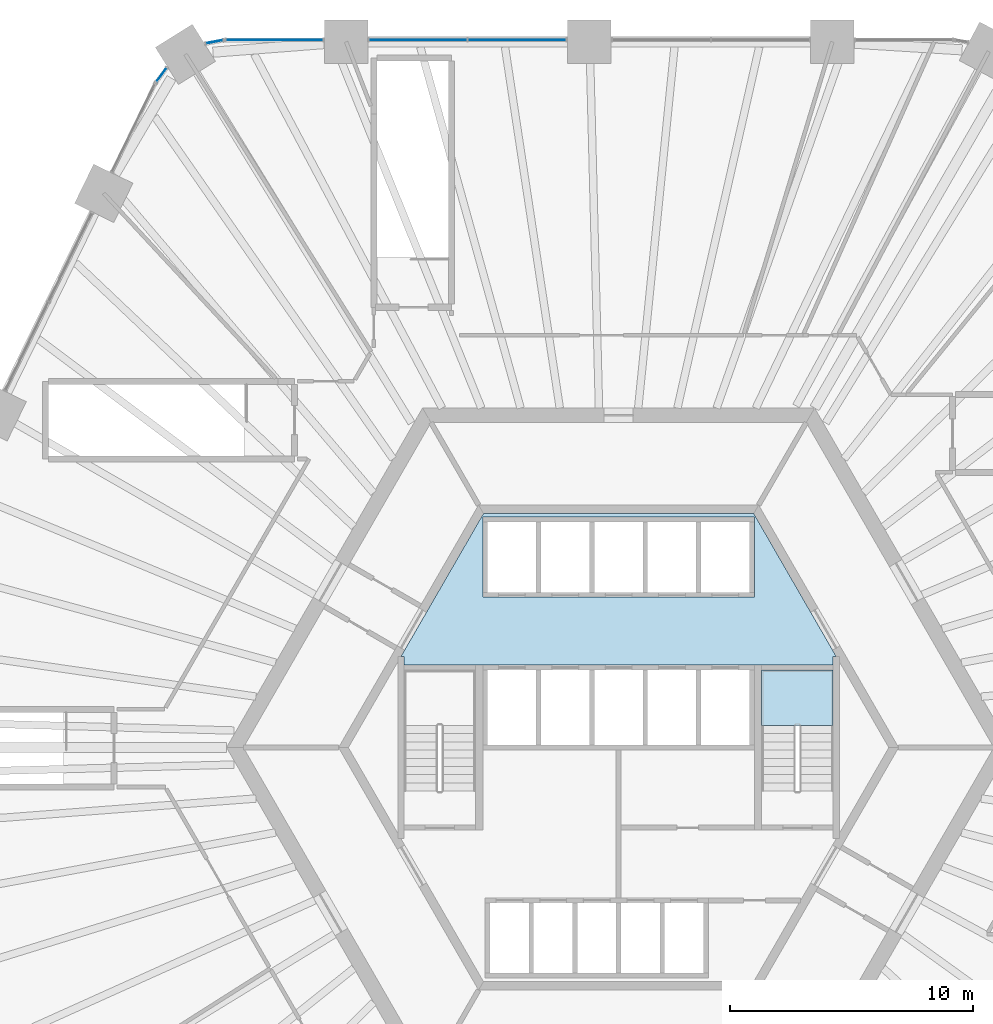
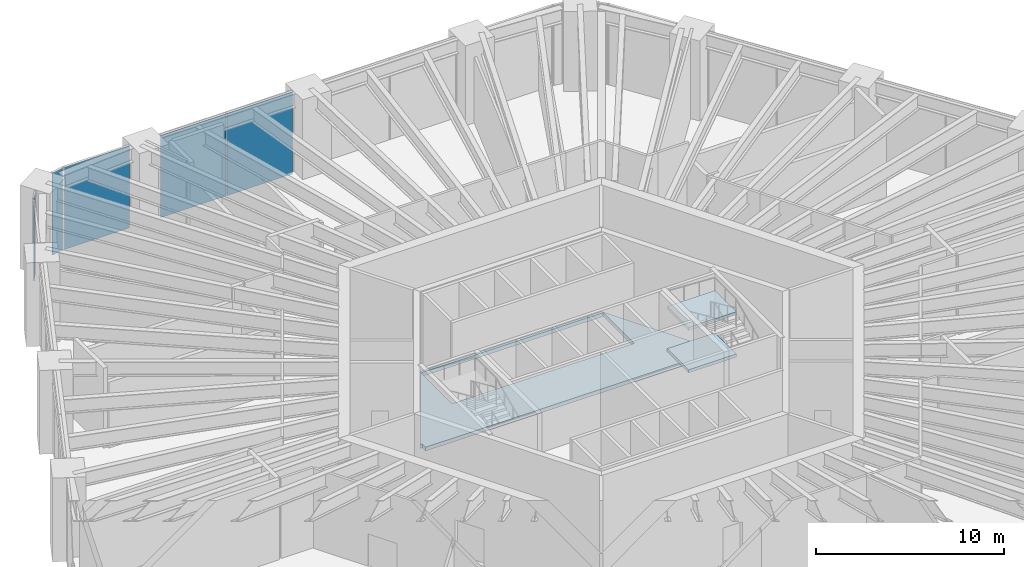
# One storey, part 17 of 25: 5 plates, 3 slabs, 5 elements without a shape of their own.
"""IFC4 building model written with IfcOpenShell, lengths in metres."""

from ifc_helpers import new_model, si_unit, direction, frame, origin, origin_2d, place, context, subcontext, project, spatial, polyline, rectangle, outline, extrude, material, layer, layer_set, type_object, element, aggregate, save


model = new_model("IFC4")

# Units and contexts
model_context = context("Model", 3, precision=1e-05, world=origin(), true_north=direction((0.0, 1.0)))
body_context = subcontext(model_context, "Body", "Model", "MODEL_VIEW")
ifc_project = project(units=[si_unit("LENGTHUNIT", "METRE"), si_unit("AREAUNIT", "SQUARE_METRE"), si_unit("VOLUMEUNIT", "CUBIC_METRE"), si_unit("PLANEANGLEUNIT", "RADIAN"), si_unit("MASSUNIT", "GRAM", prefix="KILO")], contexts=[model_context])

# Site, building, storey
site_placement = place(None, origin())
site = spatial("IfcSite", under=ifc_project, at=site_placement, CompositionType="ELEMENT")
building_placement = place(site_placement, origin())
building = spatial("IfcBuilding", under=site, at=building_placement, Name="Tarnside Tower", CompositionType="ELEMENT")
storey_placement = place(building_placement, frame((0.0, 0.0, 26.0)))
storey = spatial("IfcBuildingStorey", under=building, at=storey_placement, Name="L04", CompositionType="ELEMENT", Elevation=26.0)

# Slab
ifc_material_1 = material(Name="Concrete C40/50", Category="concrete")
ifc_layer_1 = layer(ifc_material_1, 0.25)
ifc_layer_set_1 = layer_set([ifc_layer_1], Name="Core slab C40/50")
slab_type_1 = type_object("IfcSlabType", Name="Core slab C40/50", PredefinedType="FLOOR", material=ifc_layer_set_1)
slab_1_placement = place(storey_placement, frame((0.0, 0.0, -0.25)))
element("IfcSlab", 1, at=slab_1_placement, inside=storey, type_object=slab_type_1, Name="L04 core floor slab 2", PredefinedType="FLOOR", context=body_context, shape_type="SweptSolid", body=[
    extrude(outline(polyline([(-8.97509765625, 3.7548828125), (-5.5712890625, 9.64990234375), (5.5712890625, 9.64990234375), (8.97509765625, 3.7548828125), (8.85009765625, 3.7548828125), (8.85009765625, 3.39990234375), (5.89990234375, 3.39990234375), (5.60009765625, 3.39990234375), (5.60009765625, 3.39990234375), (-5.60009765625, 3.39990234375), (-5.89990234375, 3.39990234375), (-8.85009765625, 3.39990234375), (-8.85009765625, 3.7548828125), (-8.97509765625, 3.7548828125)]), holes=[polyline([(-5.60009765625, 6.199951171875), (5.60009765625, 6.199951171875), (5.60009765625, 6.39990234375), (5.60009765625, 9.300048828125), (5.60009765625, 9.5), (-5.60009765625, 9.5), (-5.60009765625, 9.300048828125), (-5.60009765625, 6.39990234375), (-5.60009765625, 6.199951171875)])]), origin(), (0.0, 0.0, 1.0), 0.25),
])

# Curtain wall, plates
ifc_material_2 = material(Name="Retail shopfront glazing wall", Category="glass")
curtain_wall_type = type_object("IfcCurtainWallType", Name="Retail shopfront glazing wall", PredefinedType="NOTDEFINED", material=ifc_material_2)
curtain_wall_1_placement = place(storey_placement, origin())
curtain_wall_1 = element("IfcCurtainWall", 2, at=curtain_wall_1_placement, inside=storey, type_object=curtain_wall_type, Name="Retail shopfront glazing L04 01.0", PredefinedType="NOTDEFINED")
ifc_material_3 = material(Name="Low-iron safety glass", Category="glass")
ifc_layer_2 = layer(ifc_material_3, 0.028076171875)
ifc_layer_set_2 = layer_set([ifc_layer_2], Name="Retail shopfront glazing panel 28")
plate_type = type_object("IfcPlateType", Name="Retail shopfront glazing panel 28", PredefinedType="CURTAIN_PANEL", material=ifc_layer_set_2)
plate_1_placement = place(storey_placement, frame((-4.181884765625, 29.179931640625, -0.18994140625), z_axis=(0.0, 0.0, 1.0), x_axis=(-1.0, 0.0, 0.0)))
plate_1 = element("IfcPlate", 3, at=plate_1_placement, type_object=plate_type, Name="CW2 panel 1.1", PredefinedType="CURTAIN_PANEL", context=body_context, shape_type="SweptSolid", body=[
    extrude(rectangle(XDim=4.021728515625, YDim=0.028076171875, at=origin_2d()), origin(), (0.0, 0.0, 1.0), 5.330078125),
])
plate_2_placement = place(storey_placement, frame((-8.263916015625, 29.179931640625, -0.18994140625), z_axis=(0.0, 0.0, 1.0), x_axis=(-1.0, 0.0, 0.0)))
plate_2 = element("IfcPlate", 4, at=plate_2_placement, type_object=plate_type, Name="CW2 panel 2.1", PredefinedType="CURTAIN_PANEL", context=body_context, shape_type="SweptSolid", body=[
    extrude(rectangle(XDim=4.021728515625, YDim=0.028076171875, at=origin_2d()), origin(), (0.0, 0.0, 1.0), 5.330078125),
])
aggregate(curtain_wall_1, [plate_1, plate_2])

# Curtain wall, plate
curtain_wall_2_placement = place(storey_placement, origin())
curtain_wall_2 = element("IfcCurtainWall", 5, at=curtain_wall_2_placement, inside=storey, type_object=curtain_wall_type, Name="Retail shopfront glazing L04 02.0", PredefinedType="NOTDEFINED")
plate_3_placement = place(storey_placement, frame((-14.190673828125, 29.179931640625, -0.18994140625), z_axis=(0.0, 0.0, 1.0), x_axis=(-1.0, 0.0, 0.0)))
plate_3 = element("IfcPlate", 6, at=plate_3_placement, type_object=plate_type, Name="CW2 panel 1.1", PredefinedType="CURTAIN_PANEL", context=body_context, shape_type="SweptSolid", body=[
    extrude(rectangle(XDim=3.991943359375, YDim=0.028076171875, at=origin_2d()), origin(), (0.0, 0.0, 1.0), 5.330078125),
])
aggregate(curtain_wall_2, [plate_3])

curtain_wall_3_placement = place(storey_placement, origin())
curtain_wall_3 = element("IfcCurtainWall", 7, at=curtain_wall_3_placement, inside=storey, type_object=curtain_wall_type, Name="Retail shopfront glazing L04 02.1", PredefinedType="NOTDEFINED")
plate_4_placement = place(storey_placement, frame((-16.6650390625, 29.1025390625, -0.18994140625), z_axis=(0.0, 0.0, 1.0), x_axis=(-0.982720646541, -0.185094923925, 0.0)))
plate_4 = element("IfcPlate", 8, at=plate_4_placement, type_object=plate_type, Name="CW2 panel 1.1", PredefinedType="CURTAIN_PANEL", context=body_context, shape_type="SweptSolid", body=[
    extrude(rectangle(XDim=0.701416015625, YDim=0.028076171875, at=origin_2d()), origin(), (0.0, 0.0, 1.0), 5.330078125),
])
aggregate(curtain_wall_3, [plate_4])

curtain_wall_4_placement = place(storey_placement, origin())
curtain_wall_4 = element("IfcCurtainWall", 9, at=curtain_wall_4_placement, inside=storey, type_object=curtain_wall_type, Name="Retail shopfront glazing L04 03.0", PredefinedType="NOTDEFINED")
plate_5_placement = place(storey_placement, frame((-18.851806640625, 27.736083984375, -0.18994140625), z_axis=(0.0, 0.0, 1.0), x_axis=(-0.597158591581, -0.802123192845, 0.0)))
plate_5 = element("IfcPlate", 10, at=plate_5_placement, type_object=plate_type, Name="CW2 panel 1.1", PredefinedType="CURTAIN_PANEL", context=body_context, shape_type="SweptSolid", body=[
    extrude(rectangle(XDim=0.701416015625, YDim=0.028076171875, at=origin_2d()), origin(), (0.0, 0.0, 1.0), 5.330078125),
])
aggregate(curtain_wall_4, [plate_5])

# Stair, slabs
stair_type = type_object("IfcStairType", Name="Exit stair 1400 clear", PredefinedType="HALF_TURN_STAIR", material=ifc_material_1)
stair_placement = place(storey_placement, origin())
stair = element("IfcStair", 11, at=stair_placement, inside=storey, type_object=stair_type, Name="L04 Exit stair 1", PredefinedType="HALF_TURN_STAIR")
ifc_layer_3 = layer(ifc_material_1, 0.199951171875)
ifc_layer_set_3 = layer_set([ifc_layer_3], Name="Stair landing 200 C40/50")
slab_type_2 = type_object("IfcSlabType", Name="Stair landing 200 C40/50", PredefinedType="LANDING", material=ifc_layer_set_3)
slab_2_placement = place(storey_placement, frame((0.0, 0.0, 1.175048828125)))
slab_2 = element("IfcSlab", 12, at=slab_2_placement, type_object=slab_type_2, Name="ST1 landing 1", PredefinedType="LANDING", context=body_context, shape_type="SweptSolid", body=[
    extrude(outline(polyline([(8.85009765625, 0.919921875), (8.85009765625, 3.199951171875), (5.89990234375, 3.199951171875), (5.89990234375, 0.919921875), (8.85009765625, 0.919921875)])), origin(), (0.0, 0.0, 1.0), 0.199951171875),
])
slab_3_placement = place(storey_placement, frame((0.0, 0.0, 3.925048828125)))
slab_3 = element("IfcSlab", 13, at=slab_3_placement, type_object=slab_type_2, Name="ST1 landing 3", PredefinedType="LANDING", context=body_context, shape_type="SweptSolid", body=[
    extrude(outline(polyline([(8.85009765625, 0.919921875), (8.85009765625, 3.199951171875), (5.89990234375, 3.199951171875), (5.89990234375, 0.919921875), (8.85009765625, 0.919921875)])), origin(), (0.0, 0.0, 1.0), 0.199951171875),
])
aggregate(stair, [slab_2, slab_3])

save(model, "model.ifc")
